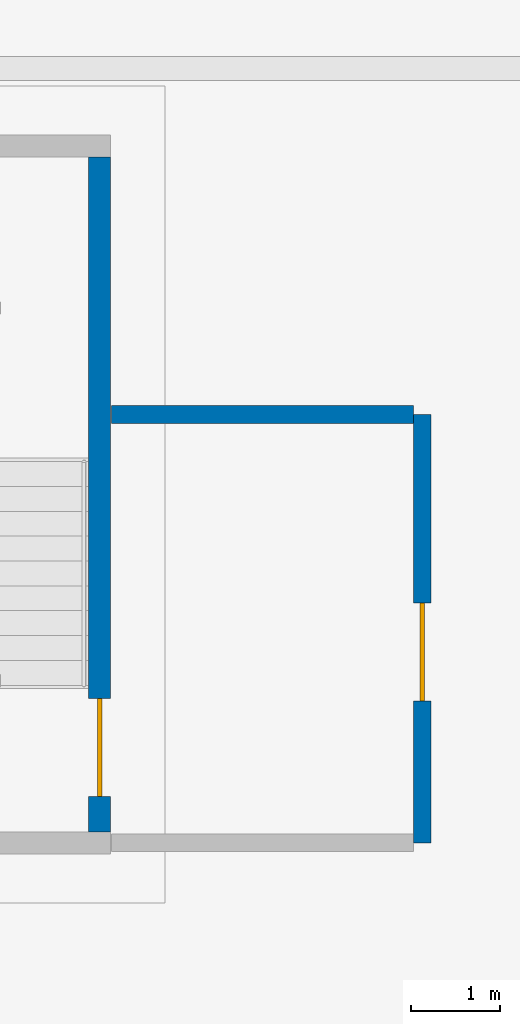
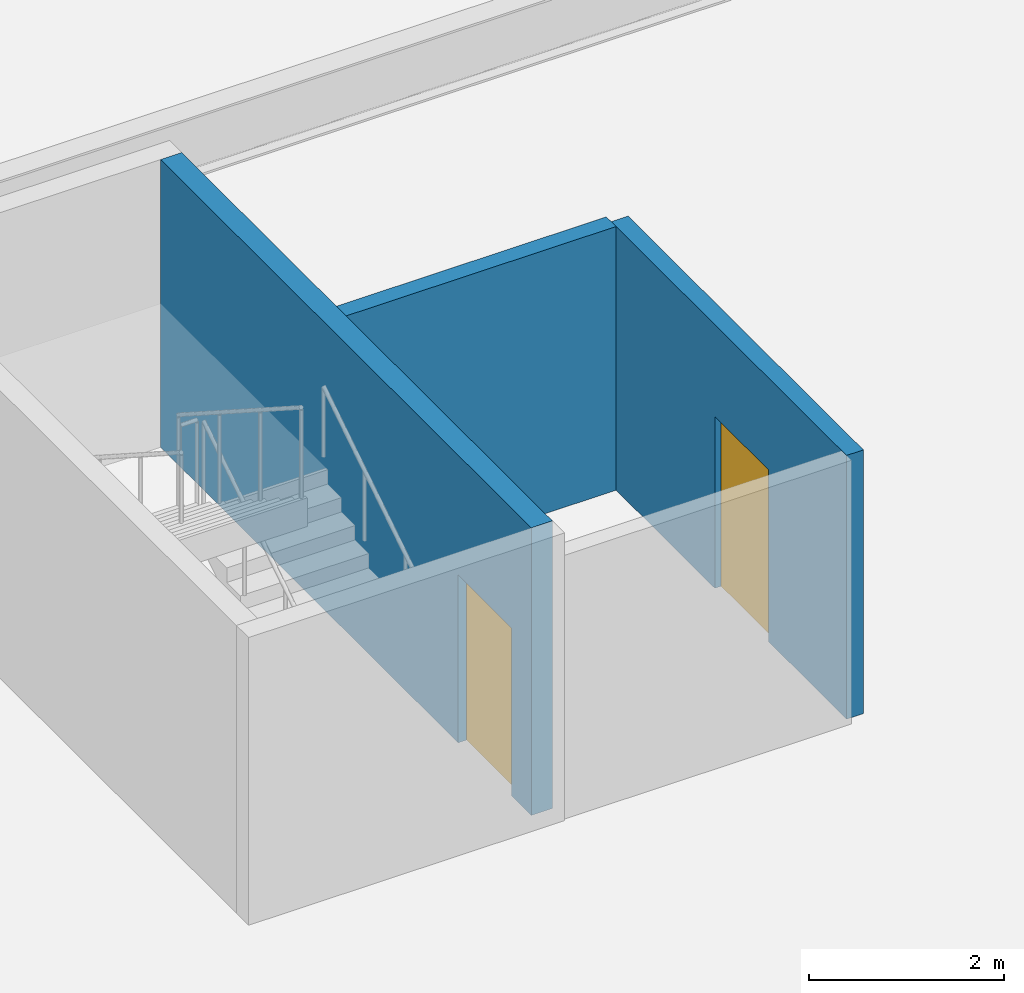
# One storey, part 8 of 26: 3 walls, 2 doors, 2 openings.
"""IFC4 building model written with IfcOpenShell, lengths in metres."""

from ifc_helpers import new_model, si_unit, direction, frame, frame_2d, origin, place, context, subcontext, project, spatial, rectangle, extrude, material, layer, layer_set, type_object, element, fill, save


model = new_model("IFC4")

# Units and contexts
model_context = context("Model", 3, precision=1e-05, world=origin(), true_north=direction((0.0, 1.0)))
body_context = subcontext(model_context, "Body", "Model", "MODEL_VIEW")
ifc_project = project(units=[si_unit("LENGTHUNIT", "METRE"), si_unit("AREAUNIT", "SQUARE_METRE"), si_unit("VOLUMEUNIT", "CUBIC_METRE"), si_unit("PLANEANGLEUNIT", "RADIAN"), si_unit("MASSUNIT", "GRAM", prefix="KILO")], contexts=[model_context])

# Site, building, storey
site_placement = place(None, origin())
site = spatial("IfcSite", under=ifc_project, at=site_placement, CompositionType="ELEMENT")
building_placement = place(site_placement, origin())
building = spatial("IfcBuilding", under=site, at=building_placement, Name="Korimba Cascade Residences", CompositionType="ELEMENT")
storey_placement = place(building_placement, frame((0.0, 0.0, -10.800048828125)))
storey = spatial("IfcBuildingStorey", under=building, at=storey_placement, Name="B03", CompositionType="ELEMENT", Elevation=-10.800048828125)

# Wall, opening, door
ifc_material_1 = material(Name="Concrete C40/50", Category="concrete")
ifc_layer_1 = layer(ifc_material_1, 0.199951171875)
ifc_layer_set_1 = layer_set([ifc_layer_1], Name="Concrete C40/50")
wall_type_1 = type_object("IfcWallType", Name="WAL-PART-200", PredefinedType="PARTITIONING", material=ifc_layer_set_1)
wall_1_placement = place(storey_placement, frame((65.0, -12.925048828125, 0.0), z_axis=(0.0, 0.0, 1.0), x_axis=(0.0, 1.0, 0.0)))
wall_1 = element("IfcWall", 1, at=wall_1_placement, inside=storey, type_object=wall_type_1, Name="B03 Partition Wall CW-B03-PL3E", PredefinedType="PARTITIONING", context=body_context, shape_type="SweptSolid", body=[
    extrude(rectangle(XDim=4.824951171875, YDim=0.199951171875, at=frame_2d((2.41259765625, 0.0))), origin(), (0.0, 0.0, 1.0), 3.300048828125),
])
opening_1_placement = place(wall_1_placement, frame((1.60009765625, 0.0, 0.0)))
opening_1 = element("IfcOpeningElement", 2, at=opening_1_placement, cuts=wall_1, Name="Opening D-FD6", PredefinedType="OPENING", context=body_context, shape_type="SweptSolid", body=[
    extrude(rectangle(XDim=1.10009765625, YDim=2.14990234375, at=frame_2d((0.550048828125, 1.074951171875))), frame((0.0, 0.10986328125, 0.0), z_axis=(0.0, -1.0, 0.0), x_axis=(1.0, 0.0, 0.0)), (0.0, 0.0, 1.0), 0.219970703125),
])
ifc_material_2 = material(Name="Fire-Rated Timber Stair Lobby Door", Category="wood")
door_type_1 = type_object("IfcDoorType", Name="DR-FD90-1100", OperationType="NOTDEFINED", PredefinedType="DOOR", material=ifc_material_2)
door_1_placement = place(opening_1_placement, origin())
door_1 = element("IfcDoor", 3, at=door_1_placement, inside=storey, type_object=door_type_1, Name="B03 South-West Stair Vestibule Door", OperationType="SINGLE_SWING_RIGHT", OverallHeight=2.14990234375, OverallWidth=1.10009765625, PredefinedType="DOOR", context=body_context, shape_type="SweptSolid", body=[
    extrude(rectangle(XDim=1.10009765625, YDim=2.14990234375, at=frame_2d((0.550048828125, 1.074951171875))), frame((0.0, 0.02490234375, 0.0), z_axis=(0.0, -1.0, 0.0), x_axis=(1.0, 0.0, 0.0)), (0.0, 0.0, 1.0), 0.050048828125),
])
fill(opening_1, door_1)

# Wall
wall_2_placement = place(storey_placement, frame((61.5, -8.10009765625, 0.0), z_axis=(0.0, 0.0, 1.0), x_axis=(1.0, 0.0, 0.0)))
element("IfcWall", 4, at=wall_2_placement, inside=storey, type_object=wall_type_1, Name="B03 Partition Wall CW-B03-PL3N", PredefinedType="PARTITIONING", context=body_context, shape_type="SweptSolid", body=[
    extrude(rectangle(XDim=3.39990234375, YDim=0.199951171875, at=frame_2d((1.699951171875, 0.0))), origin(), (0.0, 0.0, 1.0), 3.300048828125),
])

# Wall, opening, door
ifc_material_3 = material(Name="Concrete C50/60", Category="concrete")
ifc_layer_2 = layer(ifc_material_3, 0.25)
ifc_layer_set_2 = layer_set([ifc_layer_2], Name="Concrete C50/60")
wall_type_2 = type_object("IfcWallType", Name="WAL-SHAFT-250", PredefinedType="SHEAR", material=ifc_layer_set_2)
wall_3_placement = place(storey_placement, frame((61.364990234375, -12.800048828125, 0.0), z_axis=(0.0, 0.0, 1.0), x_axis=(0.0, 1.0, 0.0)))
wall_3 = element("IfcWall", 5, at=wall_3_placement, inside=storey, type_object=wall_type_2, Name="B03 Core Shear Wall CW-B03-STP3E", PredefinedType="SHEAR", context=body_context, shape_type="SweptSolid", body=[
    extrude(rectangle(XDim=7.60009765625, YDim=0.25, at=frame_2d((3.800048828125, 0.0))), origin(), (0.0, 0.0, 1.0), 3.60009765625),
])
opening_2_placement = place(wall_3_placement, frame((0.39990234375, 0.0, 0.0)))
opening_2 = element("IfcOpeningElement", 6, at=opening_2_placement, cuts=wall_3, Name="Opening D-FD1", PredefinedType="OPENING", context=body_context, shape_type="SweptSolid", body=[
    extrude(rectangle(XDim=1.10009765625, YDim=2.10009765625, at=frame_2d((0.550048828125, 1.050048828125))), frame((0.0, 0.135009765625, 0.0), z_axis=(0.0, -1.0, 0.0), x_axis=(1.0, 0.0, 0.0)), (0.0, 0.0, 1.0), 0.27001953125),
])
ifc_material_4 = material(Name="Fire-Rated Steel Core Door", Category="steel")
door_type_2 = type_object("IfcDoorType", Name="DR-FD120-1100", OperationType="NOTDEFINED", PredefinedType="DOOR", material=ifc_material_4)
door_2_placement = place(opening_2_placement, origin())
door_2 = element("IfcDoor", 7, at=door_2_placement, inside=storey, type_object=door_type_2, Name="B03 Podium Stair ST-P3 Door", OperationType="SINGLE_SWING_LEFT", OverallHeight=2.10009765625, OverallWidth=1.10009765625, PredefinedType="DOOR", context=body_context, shape_type="SweptSolid", body=[
    extrude(rectangle(XDim=1.10009765625, YDim=2.10009765625, at=frame_2d((0.550048828125, 1.050048828125))), frame((0.0, 0.02490234375, 0.0), z_axis=(0.0, -1.0, 0.0), x_axis=(1.0, 0.0, 0.0)), (0.0, 0.0, 1.0), 0.050048828125),
])
fill(opening_2, door_2)

save(model, "model.ifc")
